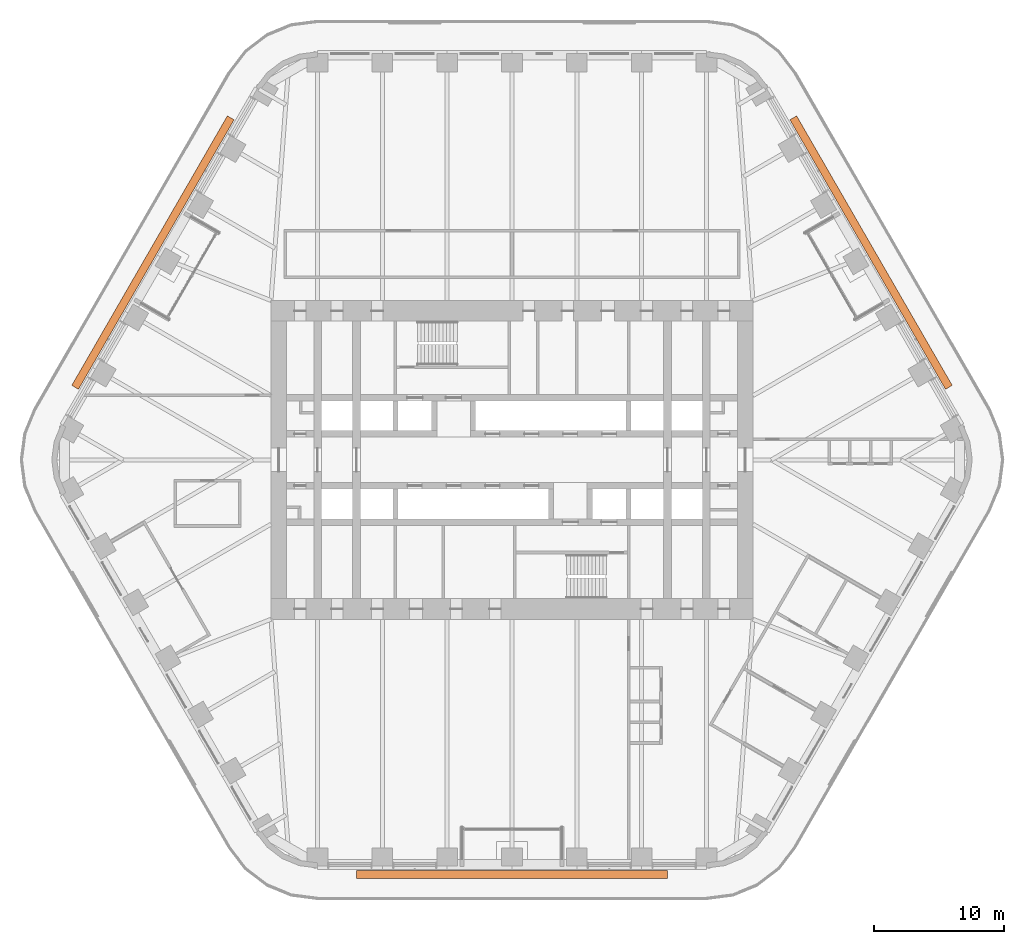
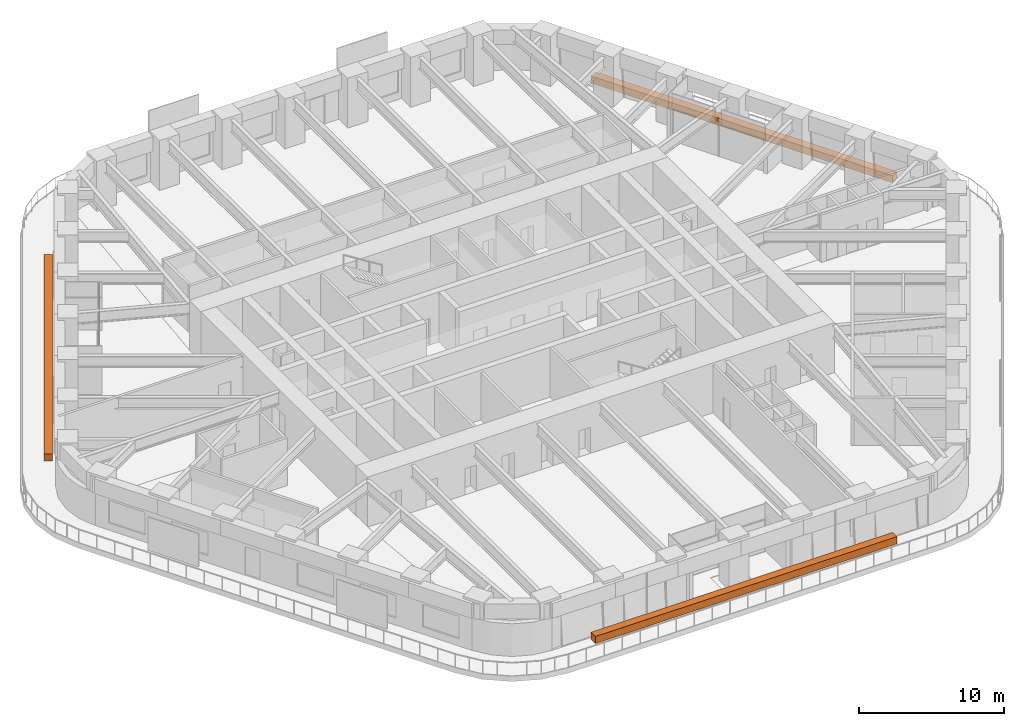
# One storey, part 24 of 24: 3 proxies.
"""IFC4 building model written with IfcOpenShell, lengths in metres."""

from ifc_helpers import new_model, si_unit, direction, frame, origin, origin_2d, place, context, subcontext, project, spatial, rectangle, extrude, material, element, save


model = new_model("IFC4")

# Units and contexts
model_context = context("Model", 3, precision=1e-05, world=origin(), true_north=direction((0.0, 1.0)))
body_context = subcontext(model_context, "Body", "Model", "MODEL_VIEW")
ifc_project = project(units=[si_unit("LENGTHUNIT", "METRE"), si_unit("AREAUNIT", "SQUARE_METRE"), si_unit("VOLUMEUNIT", "CUBIC_METRE"), si_unit("PLANEANGLEUNIT", "RADIAN"), si_unit("MASSUNIT", "GRAM", prefix="KILO")], contexts=[model_context])

# Site, building, storey
site_placement = place(None, origin())
site = spatial("IfcSite", under=ifc_project, at=site_placement, CompositionType="ELEMENT")
building_placement = place(site_placement, origin())
building = spatial("IfcBuilding", under=site, at=building_placement, Name="Tarfa Lantern Tower", CompositionType="ELEMENT")
storey_placement = place(building_placement, frame((0.0, 0.0, 165.699951171875)))
storey = spatial("IfcBuildingStorey", under=building, at=storey_placement, Name="L37", CompositionType="ELEMENT", Elevation=165.699951171875)

# Proxies
ifc_material = material(Name="Planting bed")
for number, where, z_axis, x_axis, name in (
    (1, (27.712890625, 16.0, 0.0), (0.0, 0.0, 1.0), (-0.5, 0.866025403784, 0.0), "Balcony planter"),
    (2, (-27.712890625, 16.0, 0.0), (0.0, 0.0, 1.0), (-0.5, -0.866025403784, 0.0), "Balcony planter"),
    (3, (0.0, -32.0, 0.0), (0.0, 0.0, 1.0), (1.0, 0.0, 0.0), "Balcony planter"),
):
    element("IfcBuildingElementProxy", number, at=place(storey_placement, frame(where, z_axis=z_axis, x_axis=x_axis)), inside=storey, material=ifc_material, Name=name, ObjectType="PLANTER", PredefinedType="USERDEFINED", context=body_context, shape_type="SweptSolid", body=[
        extrude(rectangle(XDim=24.017822265625, YDim=0.60009765625, at=origin_2d()), origin(), (0.0, 0.0, 1.0), 0.60009765625),
    ])

save(model, "model.ifc")
